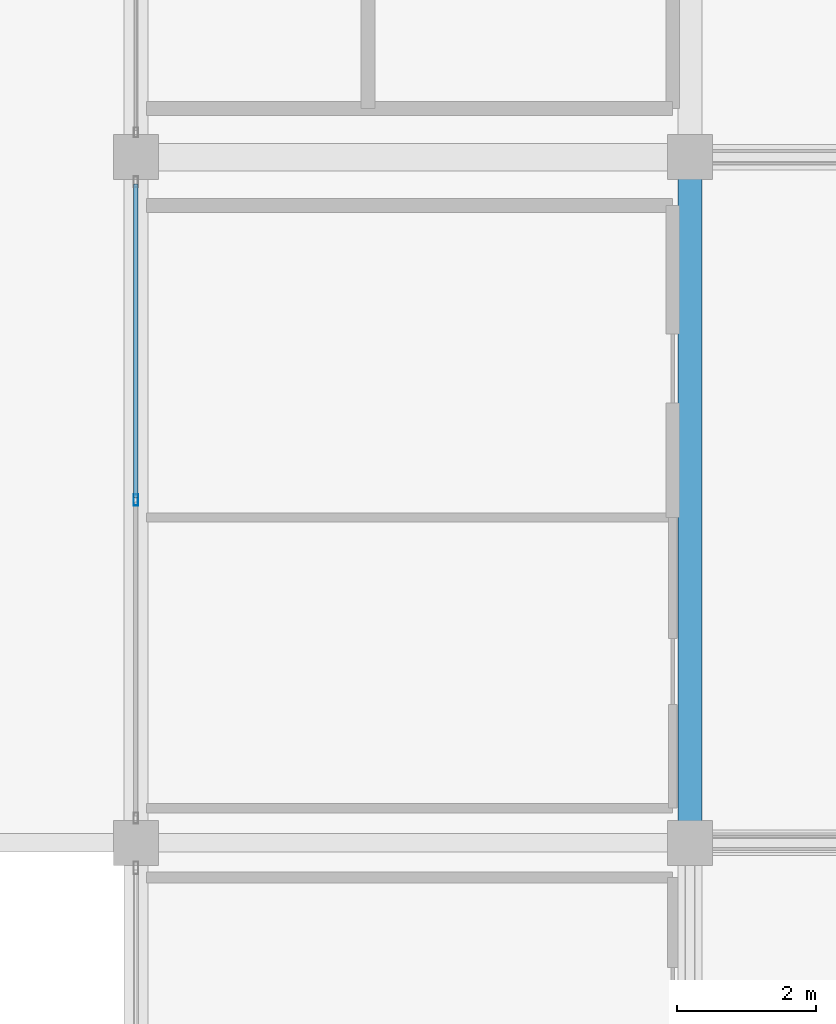
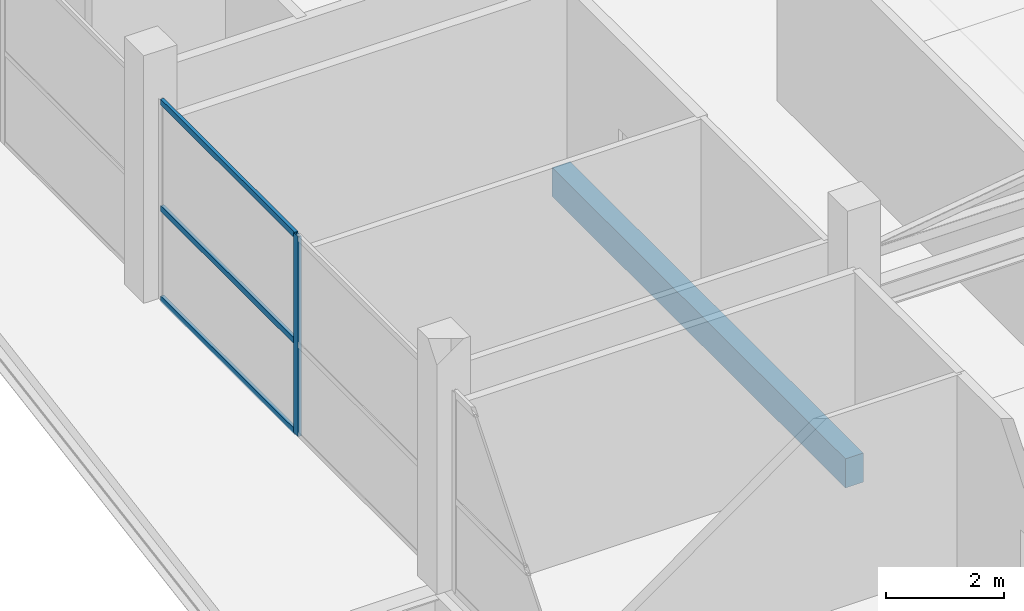
# One storey, part 23 of 66: 4 members, 1 beam, 1 element without a shape of its own.
"""IFC4 building model written with IfcOpenShell, lengths in metres."""

from ifc_helpers import new_model, si_unit, direction, frame, origin, origin_2d, place, context, subcontext, project, spatial, rectangle, hollow_rectangle, extrude, material, layer, layer_set, material_profile, profile_set, type_object, element, aggregate, save


model = new_model("IFC4")

# Units and contexts
model_context = context("Model", 3, precision=1e-05, world=origin(), true_north=direction((0.0, 1.0)))
body_context = subcontext(model_context, "Body", "Model", "MODEL_VIEW")
ifc_project = project(units=[si_unit("LENGTHUNIT", "METRE"), si_unit("AREAUNIT", "SQUARE_METRE"), si_unit("VOLUMEUNIT", "CUBIC_METRE"), si_unit("PLANEANGLEUNIT", "RADIAN"), si_unit("MASSUNIT", "GRAM", prefix="KILO")], contexts=[model_context])

# Site, building, storey
site_placement = place(None, origin())
site = spatial("IfcSite", under=ifc_project, at=site_placement, CompositionType="ELEMENT")
building_placement = place(site_placement, origin())
building = spatial("IfcBuilding", under=site, at=building_placement, Name="Sillaruma Civic Art Gallery", CompositionType="ELEMENT")
storey_placement = place(building_placement, frame((0.0, 0.0, 57.1201171875)))
storey = spatial("IfcBuildingStorey", under=building, at=storey_placement, Name="L11", CompositionType="ELEMENT", Elevation=57.1201171875)

# Beam
ifc_material_1 = material(Name="Concrete H35 (35 MPa)", Category="concrete")
ifc_material_profile_1 = material_profile(ifc_material_1, rectangle(XDim=0.35009765625, YDim=0.60009765625, at=origin_2d()), Name="RCB350x600")
ifc_profile_set_1 = profile_set([ifc_material_profile_1], Name="Concrete H35 (35 MPa)")
beam_type = type_object("IfcBeamType", Name="BM-BEAM-RCB350x600", PredefinedType="BEAM", material=ifc_profile_set_1)
beam_placement = place(storey_placement, frame((70.0, 59.39990234375, -0.550048828125), z_axis=(0.0, 1.0, 0.0), x_axis=(-1.0, 0.0, 0.0)))
element("IfcBeam", 1, at=beam_placement, inside=storey, type_object=beam_type, Name="Beam BM-06 (L10:G:7-8)", PredefinedType="BEAM", context=body_context, shape_type="SweptSolid", body=[
    extrude(rectangle(XDim=0.35009765625, YDim=0.60009765625, at=origin_2d()), origin(), (0.0, 0.0, 1.0), 9.900146484375),
])

# Curtain wall, members
ifc_material_2 = material(Name="Thermally Broken Extruded Aluminium 6063-T6", Category="aluminium")
ifc_layer = layer(ifc_material_2, 0.159912109375, Name="Thermally Broken Extruded Aluminium 6063-T6")
ifc_layer_set = layer_set([ifc_layer], Name="Thermally Broken Extruded Aluminium 6063-T6")
curtain_wall_type = type_object("IfcCurtainWallType", Name="CW-UNI-69", PredefinedType="NOTDEFINED", material=ifc_layer_set)
curtain_wall_placement = place(storey_placement, origin())
curtain_wall = element("IfcCurtainWall", 2, at=curtain_wall_placement, inside=storey, type_object=curtain_wall_type, Name="Unitised Curtain Wall CW-69 (CW-L11-WBW-5)", PredefinedType="NOTDEFINED")
ifc_material_profile_2 = material_profile(ifc_material_2, hollow_rectangle(XDim=0.06494140625, YDim=0.159912109375, WallThickness=0.00390625, at=origin_2d()), Name="CWM65x160")
ifc_profile_set_2 = profile_set([ifc_material_profile_2], Name="Thermally Broken Extruded Aluminium 6063-T6")
member_type_1 = type_object("IfcMemberType", Name="MEM-MUL-CWM65x160", PredefinedType="MULLION", material=ifc_profile_set_2)
member_1_placement = place(storey_placement, frame((62.0, 64.35009765625, 0.0), z_axis=(0.0, 0.0, 1.0), x_axis=(-1.0, 0.0, 0.0)))
member_1 = element("IfcMember", 3, at=member_1_placement, type_object=member_type_1, Name="CW-69 mullion 2", PredefinedType="MULLION", context=body_context, shape_type="SweptSolid", body=[
    extrude(hollow_rectangle(XDim=0.06494140625, YDim=0.159912109375, WallThickness=0.00390625, at=origin_2d()), origin(), (0.0, 0.0, 1.0), 4.119873046875),
])
ifc_material_profile_3 = material_profile(ifc_material_2, hollow_rectangle(XDim=0.06494140625, YDim=0.1201171875, WallThickness=0.00341796875, at=origin_2d()), Name="CWT65x120")
ifc_profile_set_3 = profile_set([ifc_material_profile_3], Name="Thermally Broken Extruded Aluminium 6063-T6")
member_type_2 = type_object("IfcMemberType", Name="MEM-TRN-CWT65x120", PredefinedType="USERDEFINED", material=ifc_profile_set_3)
member_2_placement = place(storey_placement, frame((62.0, 64.382568359375, 0.032470703125), z_axis=(0.0, 1.0, 0.0), x_axis=(-1.0, 0.0, 0.0)))
member_2 = element("IfcMember", 4, at=member_2_placement, type_object=member_type_2, Name="CW-69 transom 2.1", ObjectType="TRANSOM", PredefinedType="USERDEFINED", context=body_context, shape_type="SweptSolid", body=[
    extrude(hollow_rectangle(XDim=0.06494140625, YDim=0.1201171875, WallThickness=0.00341796875, at=origin_2d()), origin(), (0.0, 0.0, 1.0), 4.52734375),
])
member_3_placement = place(storey_placement, frame((62.0, 64.382568359375, 1.89501953125), z_axis=(0.0, 1.0, 0.0), x_axis=(-1.0, 0.0, 0.0)))
member_3 = element("IfcMember", 5, at=member_3_placement, type_object=member_type_2, Name="CW-69 transom 2.2", ObjectType="TRANSOM", PredefinedType="USERDEFINED", context=body_context, shape_type="SweptSolid", body=[
    extrude(hollow_rectangle(XDim=0.06494140625, YDim=0.1201171875, WallThickness=0.00341796875, at=origin_2d()), origin(), (0.0, 0.0, 1.0), 4.52734375),
])
member_4_placement = place(storey_placement, frame((62.0, 64.382568359375, 4.08740234375), z_axis=(0.0, 1.0, 0.0), x_axis=(-1.0, 0.0, 0.0)))
member_4 = element("IfcMember", 6, at=member_4_placement, type_object=member_type_2, Name="CW-69 transom 2.3", ObjectType="TRANSOM", PredefinedType="USERDEFINED", context=body_context, shape_type="SweptSolid", body=[
    extrude(hollow_rectangle(XDim=0.06494140625, YDim=0.1201171875, WallThickness=0.00341796875, at=origin_2d()), origin(), (0.0, 0.0, 1.0), 4.52734375),
])
aggregate(curtain_wall, [member_1, member_2, member_3, member_4])

save(model, "model.ifc")
